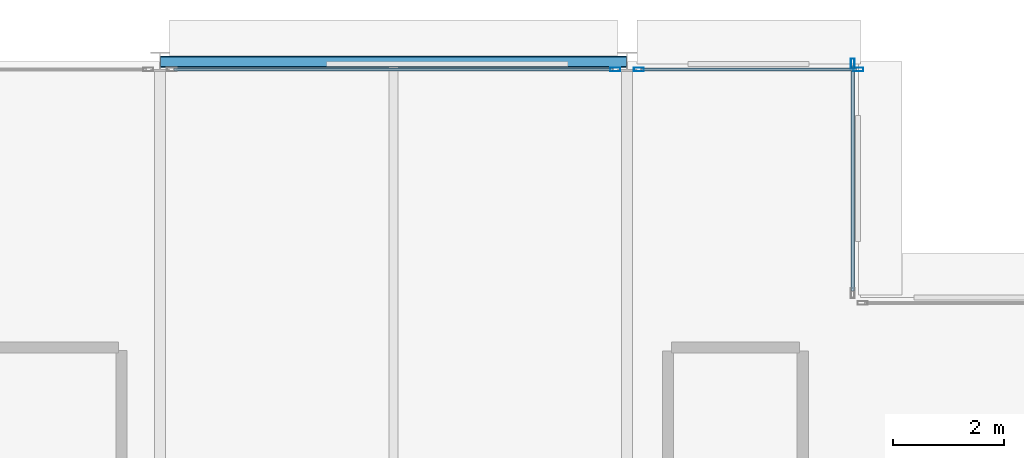
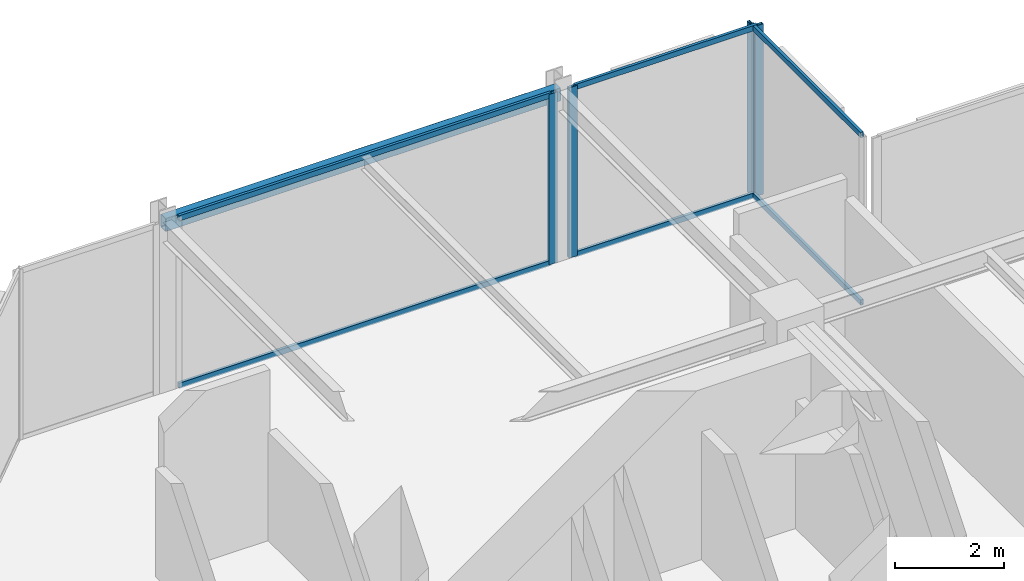
# One storey, part 22 of 30: 10 members, 1 beam, 3 elements without a shape of their own.
"""IFC4 building model written with IfcOpenShell, lengths in metres."""

from ifc_helpers import new_model, si_unit, direction, frame, origin, origin_2d, place, context, subcontext, project, spatial, hollow_rectangle, extrude, material, layer, layer_set, material_profile, profile_set, type_object, element, aggregate, save


model = new_model("IFC4")

# Units and contexts
model_context = context("Model", 3, precision=1e-05, world=origin(), true_north=direction((0.0, 1.0)))
body_context = subcontext(model_context, "Body", "Model", "MODEL_VIEW")
ifc_project = project(units=[si_unit("LENGTHUNIT", "METRE"), si_unit("AREAUNIT", "SQUARE_METRE"), si_unit("VOLUMEUNIT", "CUBIC_METRE"), si_unit("PLANEANGLEUNIT", "RADIAN"), si_unit("MASSUNIT", "GRAM", prefix="KILO")], contexts=[model_context])

# Site, building, storey
site_placement = place(None, origin())
site = spatial("IfcSite", under=ifc_project, at=site_placement, CompositionType="ELEMENT")
building_placement = place(site_placement, origin())
building = spatial("IfcBuilding", under=site, at=building_placement, Name="Nerrivon Quay Data Exchange", CompositionType="ELEMENT")
storey_placement = place(building_placement, frame((0.0, 0.0, 167.300048828125)))
storey = spatial("IfcBuildingStorey", under=building, at=storey_placement, Name="L39", CompositionType="ELEMENT", Elevation=167.300048828125)

# Beam
ifc_material_1 = material(Name="Steel Grade C350L0 (350 MPa)", Category="steel")
ifc_material_profile_1 = material_profile(ifc_material_1, hollow_rectangle(XDim=0.199951171875, YDim=0.300048828125, WallThickness=0.012451171875, InnerFilletRadius=0.018798828125, OuterFilletRadius=0.03125, at=origin_2d()), Name="300x200x12.5RHS")
ifc_profile_set_1 = profile_set([ifc_material_profile_1], Name="Steel Grade C350L0 (350 MPa)")
beam_type = type_object("IfcBeamType", Name="BM-SP3-300x200RHS", PredefinedType="SPANDREL", material=ifc_profile_set_1)
beam_placement = place(storey_placement, frame((8.409912109375, 50.39990234375, 3.675048828125), z_axis=(1.0, 0.0, 0.0), x_axis=(0.0, 1.0, 0.0)))
element("IfcBeam", 1, at=beam_placement, inside=storey, type_object=beam_type, Name="L39 EW Girder Y=50.4 (8.4..16.8)", PredefinedType="SPANDREL", context=body_context, shape_type="SweptSolid", body=[
    extrude(hollow_rectangle(XDim=0.199951171875, YDim=0.300048828125, WallThickness=0.012451171875, InnerFilletRadius=0.018798828125, OuterFilletRadius=0.03125, at=origin_2d()), origin(), (0.0, 0.0, 1.0), 8.380126953125),
])

# Curtain wall, member
ifc_material_2 = material(Name="Anodised aluminium 6063-T6", Category="aluminium")
ifc_layer = layer(ifc_material_2, 0.195068359375)
ifc_layer_set = layer_set([ifc_layer], Name="Anodised aluminium 6063-T6")
curtain_wall_type = type_object("IfcCurtainWallType", Name="CW-SYS-06", PredefinedType="NOTDEFINED", material=ifc_layer_set)
curtain_wall_1_placement = place(storey_placement, origin())
curtain_wall_1 = element("IfcCurtainWall", 2, at=curtain_wall_1_placement, inside=storey, type_object=curtain_wall_type, Name="L39 Unitised Curtain Wall 19", PredefinedType="NOTDEFINED")
ifc_material_profile_2 = material_profile(ifc_material_2, hollow_rectangle(XDim=0.06494140625, YDim=0.179931640625, WallThickness=0.00341796875, at=origin_2d()), Name="ALU-MULL-180x65")
ifc_profile_set_2 = profile_set([ifc_material_profile_2], Name="Anodised aluminium 6063-T6")
member_type_1 = type_object("IfcMemberType", Name="CWM-180x65", PredefinedType="MULLION", material=ifc_profile_set_2)
member_1_placement = place(storey_placement, frame((16.58740234375, 50.260009765625, 0.0), z_axis=(0.0, 0.0, 1.0), x_axis=(0.0, 1.0, 0.0)))
member_1 = element("IfcMember", 3, at=member_1_placement, type_object=member_type_1, Name="CW06 mullion 2", PredefinedType="MULLION", context=body_context, shape_type="SweptSolid", body=[
    extrude(hollow_rectangle(XDim=0.06494140625, YDim=0.179931640625, WallThickness=0.00341796875, at=origin_2d()), origin(), (0.0, 0.0, 1.0), 3.824951171875),
])

# Curtain wall, members
curtain_wall_2_placement = place(storey_placement, origin())
curtain_wall_2 = element("IfcCurtainWall", 4, at=curtain_wall_2_placement, inside=storey, type_object=curtain_wall_type, Name="L39 Unitised Curtain Wall 20", PredefinedType="NOTDEFINED")
member_2_placement = place(storey_placement, frame((17.012451171875, 50.260009765625, 0.0), z_axis=(0.0, 0.0, 1.0), x_axis=(0.0, 1.0, 0.0)))
member_2 = element("IfcMember", 5, at=member_2_placement, type_object=member_type_1, Name="CW06 mullion 1", PredefinedType="MULLION", context=body_context, shape_type="SweptSolid", body=[
    extrude(hollow_rectangle(XDim=0.06494140625, YDim=0.179931640625, WallThickness=0.00341796875, at=origin_2d()), origin(), (0.0, 0.0, 1.0), 3.824951171875),
])
member_3_placement = place(storey_placement, frame((20.96240234375, 50.260009765625, 0.0), z_axis=(0.0, 0.0, 1.0), x_axis=(0.0, 1.0, 0.0)))
member_3 = element("IfcMember", 6, at=member_3_placement, type_object=member_type_1, Name="CW06 mullion 2", PredefinedType="MULLION", context=body_context, shape_type="SweptSolid", body=[
    extrude(hollow_rectangle(XDim=0.06494140625, YDim=0.179931640625, WallThickness=0.00341796875, at=origin_2d()), origin(), (0.0, 0.0, 1.0), 3.824951171875),
])

# Curtain wall, member
curtain_wall_3_placement = place(storey_placement, origin())
curtain_wall_3 = element("IfcCurtainWall", 7, at=curtain_wall_3_placement, inside=storey, type_object=curtain_wall_type, Name="L39 Unitised Curtain Wall 21", PredefinedType="NOTDEFINED")
member_4_placement = place(storey_placement, frame((20.860107421875, 50.362548828125, 0.0), z_axis=(0.0, 0.0, 1.0), x_axis=(1.0, 0.0, 0.0)))
member_4 = element("IfcMember", 8, at=member_4_placement, type_object=member_type_1, Name="CW06 mullion 1", PredefinedType="MULLION", context=body_context, shape_type="SweptSolid", body=[
    extrude(hollow_rectangle(XDim=0.06494140625, YDim=0.179931640625, WallThickness=0.00341796875, at=origin_2d()), origin(), (0.0, 0.0, 1.0), 3.824951171875),
])

# Member
ifc_material_profile_3 = material_profile(ifc_material_2, hollow_rectangle(XDim=0.06005859375, YDim=0.1201171875, WallThickness=0.003173828125, at=origin_2d()), Name="ALU-TRAN-120x60")
ifc_profile_set_3 = profile_set([ifc_material_profile_3], Name="Anodised aluminium 6063-T6")
member_type_2 = type_object("IfcMemberType", Name="CWT-120x60", PredefinedType="USERDEFINED", material=ifc_profile_set_3)
member_5_placement = place(storey_placement, frame((8.64990234375, 50.260009765625, 0.032470703125), z_axis=(1.0, 0.0, 0.0), x_axis=(0.0, 1.0, 0.0)))
member_5 = element("IfcMember", 9, at=member_5_placement, type_object=member_type_2, Name="CW06 transom 1.1", ObjectType="TRANSOM", PredefinedType="USERDEFINED", context=body_context, shape_type="SweptSolid", body=[
    extrude(hollow_rectangle(XDim=0.06005859375, YDim=0.1201171875, WallThickness=0.003173828125, at=origin_2d()), origin(), (0.0, 0.0, 1.0), 7.900146484375),
])

member_6_placement = place(storey_placement, frame((8.64990234375, 50.260009765625, 3.79248046875), z_axis=(1.0, 0.0, 0.0), x_axis=(0.0, 1.0, 0.0)))
member_6 = element("IfcMember", 10, at=member_6_placement, type_object=member_type_2, Name="CW06 transom 1.2", ObjectType="TRANSOM", PredefinedType="USERDEFINED", context=body_context, shape_type="SweptSolid", body=[
    extrude(hollow_rectangle(XDim=0.06005859375, YDim=0.1201171875, WallThickness=0.003173828125, at=origin_2d()), origin(), (0.0, 0.0, 1.0), 7.900146484375),
])

aggregate(curtain_wall_1, [member_1, member_5, member_6])

member_7_placement = place(storey_placement, frame((17.050048828125, 50.260009765625, 0.032470703125), z_axis=(1.0, 0.0, 0.0), x_axis=(0.0, 1.0, 0.0)))
member_7 = element("IfcMember", 11, at=member_7_placement, type_object=member_type_2, Name="CW06 transom 1.1", ObjectType="TRANSOM", PredefinedType="USERDEFINED", context=body_context, shape_type="SweptSolid", body=[
    extrude(hollow_rectangle(XDim=0.06005859375, YDim=0.1201171875, WallThickness=0.003173828125, at=origin_2d()), origin(), (0.0, 0.0, 1.0), 3.875),
])

member_8_placement = place(storey_placement, frame((17.050048828125, 50.260009765625, 3.79248046875), z_axis=(1.0, 0.0, 0.0), x_axis=(0.0, 1.0, 0.0)))
member_8 = element("IfcMember", 12, at=member_8_placement, type_object=member_type_2, Name="CW06 transom 1.2", ObjectType="TRANSOM", PredefinedType="USERDEFINED", context=body_context, shape_type="SweptSolid", body=[
    extrude(hollow_rectangle(XDim=0.06005859375, YDim=0.1201171875, WallThickness=0.003173828125, at=origin_2d()), origin(), (0.0, 0.0, 1.0), 3.875),
])

aggregate(curtain_wall_2, [member_2, member_3, member_7, member_8])

member_9_placement = place(storey_placement, frame((20.860107421875, 50.324951171875, 0.032470703125), z_axis=(0.0, -1.0, 0.0), x_axis=(1.0, 0.0, 0.0)))
member_9 = element("IfcMember", 13, at=member_9_placement, type_object=member_type_2, Name="CW06 transom 1.1", ObjectType="TRANSOM", PredefinedType="USERDEFINED", context=body_context, shape_type="SweptSolid", body=[
    extrude(hollow_rectangle(XDim=0.06005859375, YDim=0.1201171875, WallThickness=0.003173828125, at=origin_2d()), origin(), (0.0, 0.0, 1.0), 4.050048828125),
])

member_10_placement = place(storey_placement, frame((20.860107421875, 50.324951171875, 3.79248046875), z_axis=(0.0, -1.0, 0.0), x_axis=(1.0, 0.0, 0.0)))
member_10 = element("IfcMember", 14, at=member_10_placement, type_object=member_type_2, Name="CW06 transom 1.2", ObjectType="TRANSOM", PredefinedType="USERDEFINED", context=body_context, shape_type="SweptSolid", body=[
    extrude(hollow_rectangle(XDim=0.06005859375, YDim=0.1201171875, WallThickness=0.003173828125, at=origin_2d()), origin(), (0.0, 0.0, 1.0), 4.050048828125),
])

aggregate(curtain_wall_3, [member_4, member_9, member_10])

save(model, "model.ifc")
